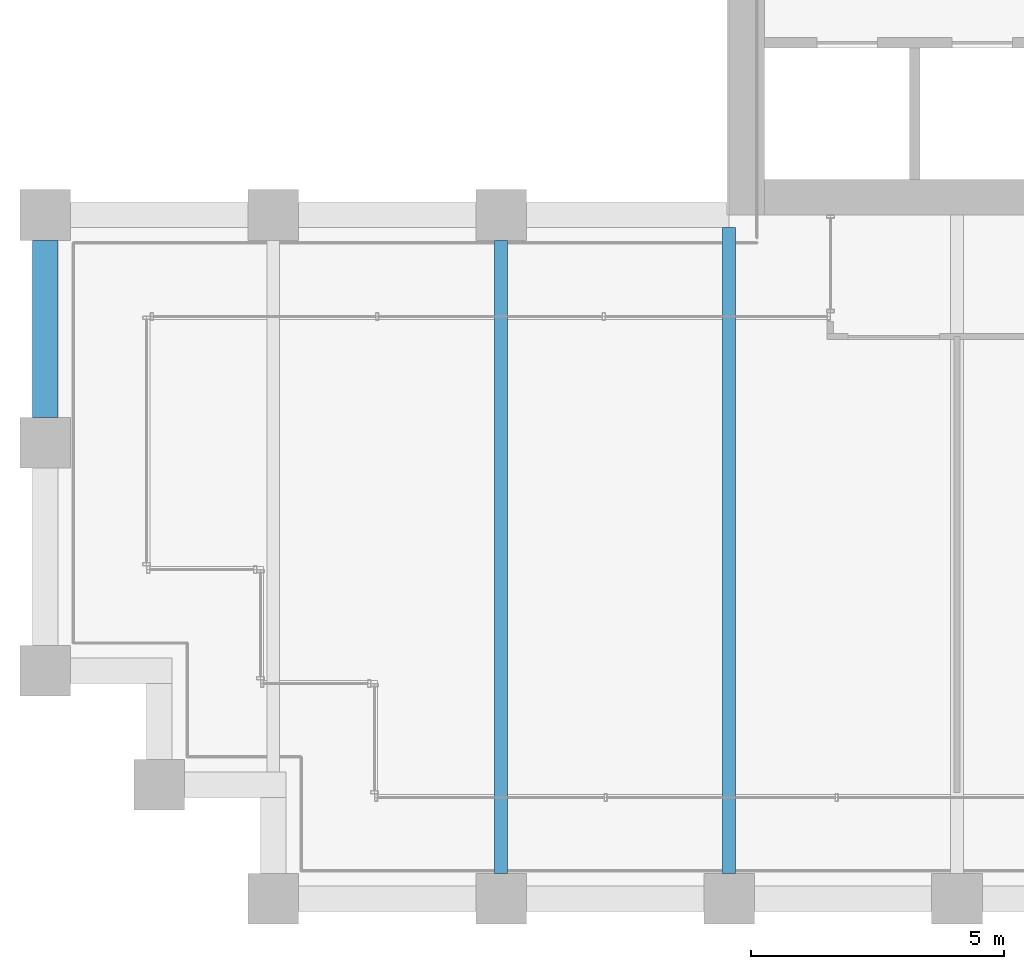
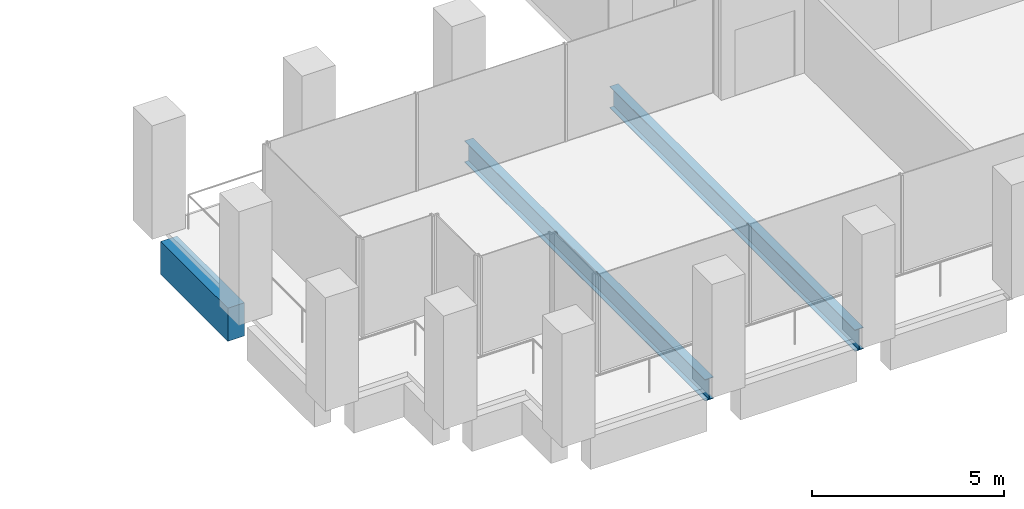
# One storey, part 4 of 46: 3 beams.
"""IFC4 building model written with IfcOpenShell, lengths in metres."""

from ifc_helpers import new_model, si_unit, direction, frame, origin, origin_2d, place, context, subcontext, project, spatial, rectangle, i_section, extrude, material, material_profile, profile_set, type_object, element, save


model = new_model("IFC4")

# Units and contexts
model_context = context("Model", 3, precision=1e-05, world=origin(), true_north=direction((0.0, 1.0)))
body_context = subcontext(model_context, "Body", "Model", "MODEL_VIEW")
ifc_project = project(units=[si_unit("LENGTHUNIT", "METRE"), si_unit("AREAUNIT", "SQUARE_METRE"), si_unit("VOLUMEUNIT", "CUBIC_METRE"), si_unit("PLANEANGLEUNIT", "RADIAN"), si_unit("MASSUNIT", "GRAM", prefix="KILO")], contexts=[model_context])

# Site, building, storey
site_placement = place(None, origin())
site = spatial("IfcSite", under=ifc_project, at=site_placement, CompositionType="ELEMENT")
building_placement = place(site_placement, origin())
building = spatial("IfcBuilding", under=site, at=building_placement, Name="Altepetl Exchange Towers", CompositionType="ELEMENT")
storey_placement = place(building_placement, frame((0.0, 0.0, 124.39990234375)))
storey = spatial("IfcBuildingStorey", under=building, at=storey_placement, Name="L30", CompositionType="ELEMENT", Elevation=124.39990234375)

# Beams
ifc_material_1 = material(Name="Steel S355", Category="steel")
ifc_material_profile_1 = material_profile(ifc_material_1, i_section(OverallWidth=0.25390625, OverallDepth=0.68408203125, WebThickness=0.012451171875, FlangeThickness=0.018798828125, at=origin_2d()), Name="W27X94")
ifc_profile_set_1 = profile_set([ifc_material_profile_1], Name="Steel S355")
beam_type_1 = type_object("IfcBeamType", Name="Floor beam W27X94", PredefinedType="BEAM", material=ifc_profile_set_1)
beam_1_placement = place(storey_placement, frame((36.0, 27.5, -0.491943359375), z_axis=(0.0, 1.0, 0.0), x_axis=(-1.0, 0.0, 0.0)))
element("IfcBeam", 1, at=beam_1_placement, inside=storey, type_object=beam_type_1, Name="bm:A:L30:013", PredefinedType="BEAM", context=body_context, shape_type="SweptSolid", body=[
    extrude(i_section(OverallWidth=0.25390625, OverallDepth=0.68408203125, WebThickness=0.012451171875, FlangeThickness=0.018798828125, at=origin_2d()), origin(), (0.0, 0.0, 1.0), 12.5),
])
beam_2_placement = place(storey_placement, frame((40.5, 27.5, -0.491943359375), z_axis=(0.0, 1.0, 0.0), x_axis=(-1.0, 0.0, 0.0)))
element("IfcBeam", 2, at=beam_2_placement, inside=storey, type_object=beam_type_1, Name="bm:A:L30:014", PredefinedType="BEAM", context=body_context, shape_type="SweptSolid", body=[
    extrude(i_section(OverallWidth=0.25390625, OverallDepth=0.68408203125, WebThickness=0.012451171875, FlangeThickness=0.018798828125, at=origin_2d()), origin(), (0.0, 0.0, 1.0), 12.75),
])
ifc_material_2 = material(Name="Concrete C50/60 precast with cantera blanca facing", Category="concrete")
ifc_material_profile_2 = material_profile(ifc_material_2, rectangle(XDim=0.5, YDim=1.050048828125, at=origin_2d()), Name="500 x 1050")
ifc_profile_set_2 = profile_set([ifc_material_profile_2], Name="Concrete C50/60 precast with cantera blanca facing")
beam_type_2 = type_object("IfcBeamType", Name="Spandrel beam 500x1050 cantera blanca", PredefinedType="SPANDREL", material=ifc_profile_set_2)
beam_3_placement = place(storey_placement, frame((27.0, 40.0, -0.6748046875), z_axis=(0.0, -1.0, 0.0), x_axis=(1.0, 0.0, 0.0)))
element("IfcBeam", 3, at=beam_3_placement, inside=storey, type_object=beam_type_2, Name="sp:A:L30:036", PredefinedType="SPANDREL", context=body_context, shape_type="SweptSolid", body=[
    extrude(rectangle(XDim=0.5, YDim=1.050048828125, at=origin_2d()), origin(), (0.0, 0.0, 1.0), 3.5),
])

save(model, "model.ifc")
